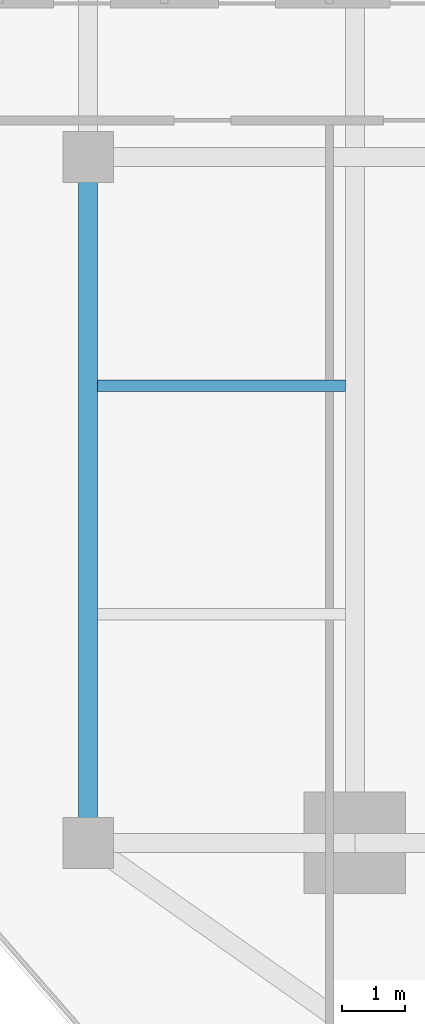
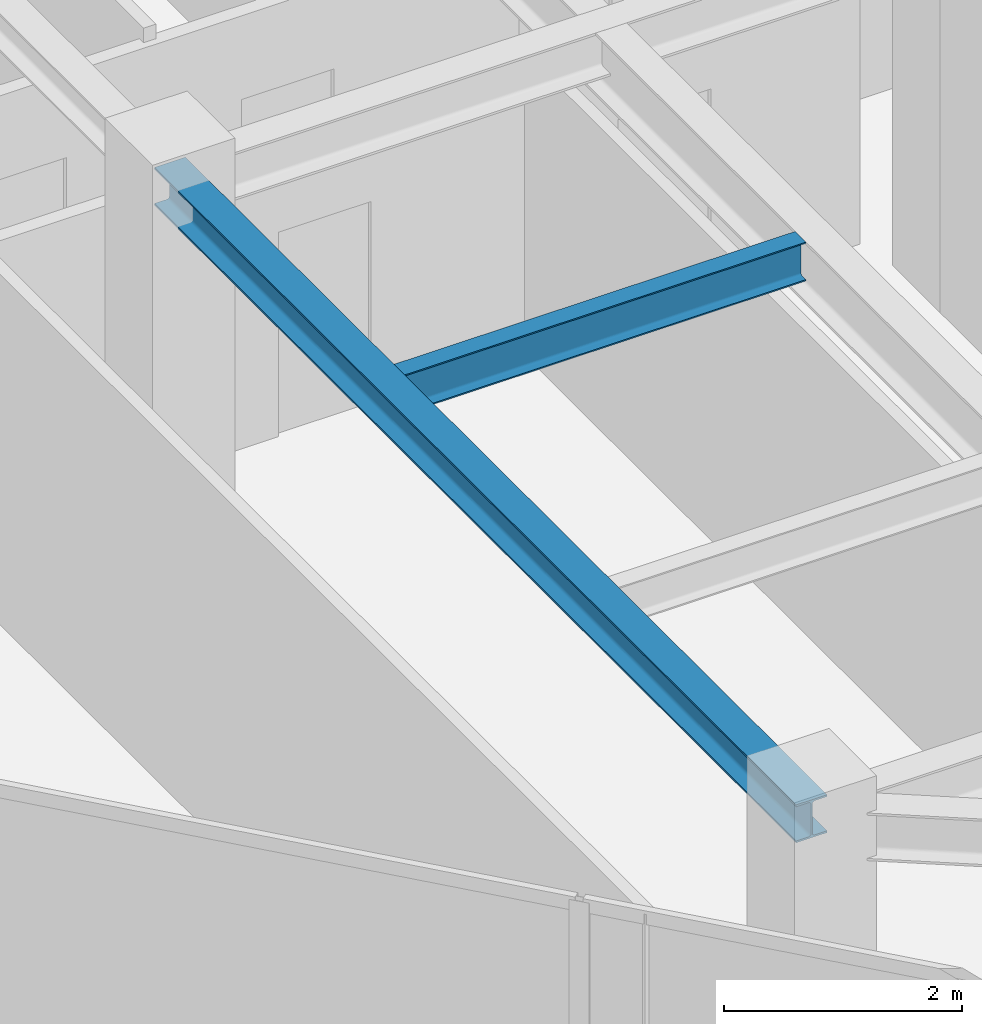
# One storey, part 6 of 24: 2 beams.
"""IFC4 building model written with IfcOpenShell, lengths in metres."""

from ifc_helpers import new_model, si_unit, direction, frame, origin, origin_2d, place, context, subcontext, project, spatial, i_section, extrude, source, transform, mapped, material, material_profile, profile_set, type_object, type_shapes, element, save


model = new_model("IFC4")

# Units and contexts
model_context = context("Model", 3, precision=1e-05, world=origin(), true_north=direction((0.0, 1.0)))
body_context = subcontext(model_context, "Body", "Model", "MODEL_VIEW")
ifc_project = project(units=[si_unit("LENGTHUNIT", "METRE"), si_unit("AREAUNIT", "SQUARE_METRE"), si_unit("VOLUMEUNIT", "CUBIC_METRE"), si_unit("PLANEANGLEUNIT", "RADIAN"), si_unit("MASSUNIT", "GRAM", prefix="KILO")], contexts=[model_context])

# Site, building, storey
site_placement = place(None, origin())
site = spatial("IfcSite", under=ifc_project, at=site_placement, CompositionType="ELEMENT")
building_placement = place(site_placement, origin())
building = spatial("IfcBuilding", under=site, at=building_placement, Name="Krantzveldt Concourse Tower", CompositionType="ELEMENT")
storey_placement = place(building_placement, frame((0.0, 0.0, 258.64990234375)))
storey = spatial("IfcBuildingStorey", under=building, at=storey_placement, Name="L63", CompositionType="ELEMENT", Elevation=258.64990234375)

# Beams
ifc_material = material(Name="Steel S355JR", Category="steel")
ifc_material_profile_1 = material_profile(ifc_material, i_section(OverallWidth=0.300048828125, OverallDepth=0.389892578125, WebThickness=0.010986328125, FlangeThickness=0.01904296875, FilletRadius=0.027099609375, at=origin_2d()), Name="Steel S355JR", Category="steel")
ifc_profile_set_1 = profile_set([ifc_material_profile_1], Name="Steel S355JR - HEA 400")
beam_type_1 = type_object("IfcBeamType", Name="BM-SP-HEA400", PredefinedType="SPANDREL", material=ifc_profile_set_1)
shared_shape_1 = source(origin(), body_context, "Body", "SweptSolid", [
    extrude(i_section(OverallWidth=0.300048828125, OverallDepth=0.389892578125, WebThickness=0.010986328125, FlangeThickness=0.01904296875, FilletRadius=0.027099609375, at=origin_2d()), origin(), (0.0, 0.0, 1.0), 10.800048828125),
])
type_shapes(beam_type_1, [shared_shape_1])
beam_1_placement = place(storey_placement, frame((21.0, 15.89990234375, 3.405029296875), z_axis=(0.0, 1.0, 0.0), x_axis=(-1.0, 0.0, 0.0)))
element("IfcBeam", 1, at=beam_1_placement, inside=storey, type_object=beam_type_1, Name="L63 Tower Girder SP-R01", PredefinedType="SPANDREL", context=body_context, shape_type="MappedRepresentation", body=[
    mapped(shared_shape_1, transform((0.0, 0.0, 0.0), x_axis=(1.0, 0.0, 0.0), y_axis=(0.0, 1.0, 0.0), z_axis=(0.0, 0.0, 1.0), scale=1.0)),
])
ifc_material_profile_2 = material_profile(ifc_material, i_section(OverallWidth=0.179931640625, OverallDepth=0.39990234375, WebThickness=0.008544921875, FlangeThickness=0.013427734375, FilletRadius=0.02099609375, at=origin_2d()), Name="Steel S355JR", Category="steel")
ifc_profile_set_2 = profile_set([ifc_material_profile_2], Name="Steel S355JR - IPE 400")
beam_type_2 = type_object("IfcBeamType", Name="BM-J-IPE400", PredefinedType="JOIST", material=ifc_profile_set_2)
shared_shape_2 = source(origin(), body_context, "Body", "SweptSolid", [
    extrude(i_section(OverallWidth=0.179931640625, OverallDepth=0.39990234375, WebThickness=0.008544921875, FlangeThickness=0.013427734375, FilletRadius=0.02099609375, at=origin_2d()), origin(), (0.0, 0.0, 1.0), 3.900146484375),
])
type_shapes(beam_type_2, [shared_shape_2])
beam_2_placement = place(storey_placement, frame((21.14990234375, 23.10009765625, 3.400146484375), z_axis=(1.0, 0.0, 0.0), x_axis=(0.0, 1.0, 0.0)))
element("IfcBeam", 2, at=beam_2_placement, inside=storey, type_object=beam_type_2, Name="L63 Secondary Floor Joist JW-2", PredefinedType="JOIST", context=body_context, shape_type="MappedRepresentation", body=[
    mapped(shared_shape_2, transform((0.0, 0.0, 0.0), x_axis=(1.0, 0.0, 0.0), y_axis=(0.0, 1.0, 0.0), z_axis=(0.0, 0.0, 1.0), scale=1.0)),
])

save(model, "model.ifc")
